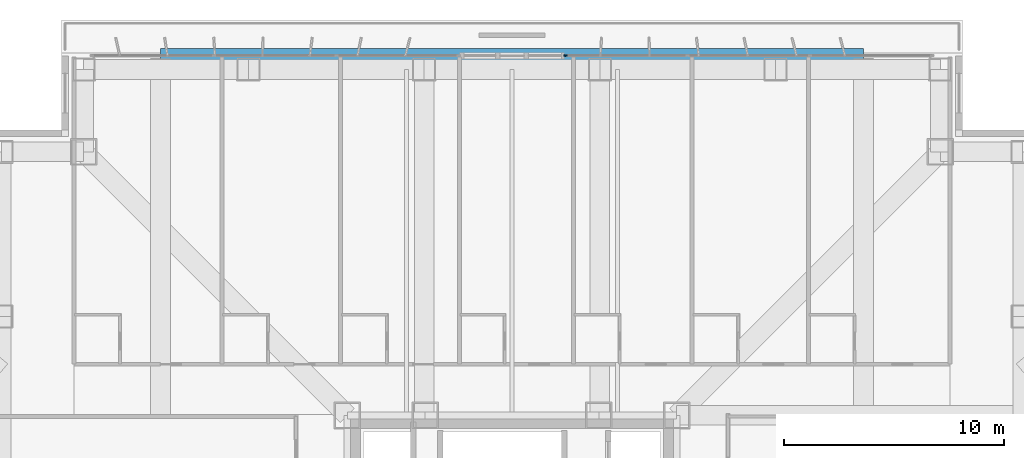
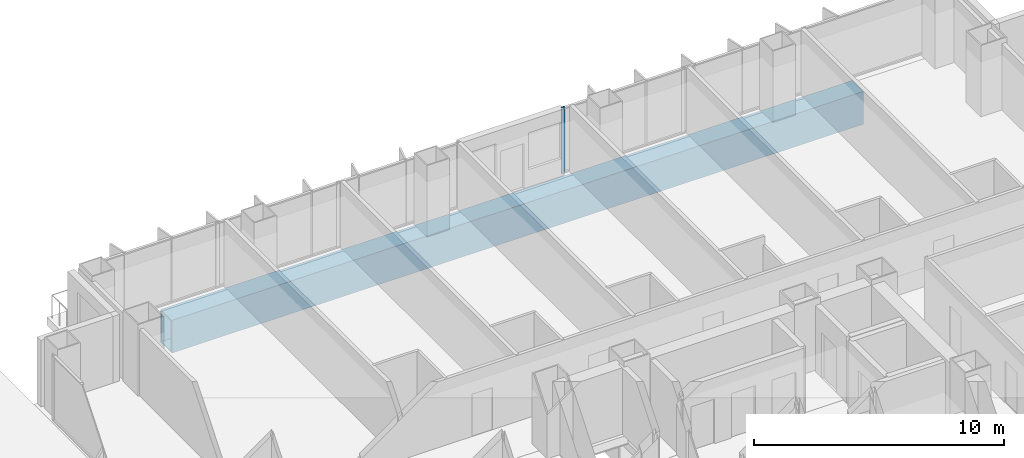
# One storey, part 12 of 24: 1 beam, 1 member, 1 element without a shape of its own.
"""IFC4 building model written with IfcOpenShell, lengths in metres."""

import ifcopenshell
import ifcopenshell.guid

model = None  # the IFC model being written
_history = None  # IfcOwnerHistory: only IFC2X3 demands one
_inside = {}  # id of a spatial element -> (the spatial element, [elements in it])
_under = {}  # id of a project, library or spatial element -> (it, [spatial elements below it])
_declared = {}  # id of a project -> (the project, [libraries it declares])
_typed = {}  # id of a type object -> (the type object, [elements of that type])
_made_of = {}  # id of a material, layer set ... -> (it, [elements and type objects made of it])


def new_model(schema):
    """Start an empty IFC model of exactly this schema.

    Asked for "IFC4X3", IfcOpenShell would pick the latest addendum, in which some entities
    have other attributes; the version numbers below select the first issue.
    IFC2X3 requires an IfcOwnerHistory on every rooted entity: one is made here for all.
    """
    global model, _history
    if schema == "IFC4X3":
        model = ifcopenshell.file(schema_version=(4, 3, 0, 0))
    else:
        model = ifcopenshell.file(schema=schema)
    _inside.clear()
    _under.clear()
    _declared.clear()
    _typed.clear()
    _made_of.clear()
    _history = None
    if model.schema == "IFC2X3":
        org = make("IfcOrganization", Name="unknown")
        user = make(
            "IfcPersonAndOrganization",
            ThePerson=make("IfcPerson", FamilyName="unknown"),
            TheOrganization=org,
        )
        app = make(
            "IfcApplication",
            ApplicationDeveloper=org,
            Version="unknown",
            ApplicationFullName="unknown",
            ApplicationIdentifier="unknown",
        )
        _history = make(
            "IfcOwnerHistory",
            OwningUser=user,
            OwningApplication=app,
            ChangeAction="ADDED",
            CreationDate=0,
        )
    return model


def make(cls, **values):
    """One entity of the class cls with the attributes given. An attribute that is None is left unset."""
    return model.create_entity(
        cls, **{name: value for name, value in values.items() if value is not None}
    )


def rooted(cls, **values):
    """An entity with a GlobalId (a new one), such as an element, a storey or a relation."""
    return make(cls, GlobalId=ifcopenshell.guid.new(), OwnerHistory=_history, **values)


def si_unit(unit_type, name, prefix=None):
    """IfcSIUnit, for example si_unit("LENGTHUNIT", "METRE", prefix="MILLI")."""
    return make("IfcSIUnit", UnitType=unit_type, Prefix=prefix, Name=name)


def assignment(units):
    """IfcUnitAssignment: the units of a project."""
    return None if units is None else make("IfcUnitAssignment", Units=units)


def point(xyz):
    """IfcCartesianPoint."""
    return None if xyz is None else make("IfcCartesianPoint", Coordinates=xyz)


def direction(xyz):
    """IfcDirection."""
    return None if xyz is None else make("IfcDirection", DirectionRatios=xyz)


def frame(location, z_axis=None, x_axis=None):
    """IfcAxis2Placement3D, a coordinate frame: its origin and axes. An axis left out is left unset."""
    return make(
        "IfcAxis2Placement3D",
        Location=point(location),
        Axis=direction(z_axis),
        RefDirection=direction(x_axis),
    )


def frame_2d(location, x_axis=None):
    """IfcAxis2Placement2D, a coordinate frame in the plane: its origin and x axis."""
    return make(
        "IfcAxis2Placement2D", Location=point(location), RefDirection=direction(x_axis)
    )


def origin():
    """The frame at (0, 0, 0) with its axes left unset."""
    return frame((0.0, 0.0, 0.0))


def origin_2d():
    """The frame at (0, 0) in the plane with its x axis left unset."""
    return frame_2d((0.0, 0.0))


def place(relative_to, where):
    """IfcLocalPlacement: puts the frame where relative to a parent placement (None: the world)."""
    return make(
        "IfcLocalPlacement", PlacementRelTo=relative_to, RelativePlacement=where
    )


def context(
    kind, dimensions, precision=None, world=None, true_north=None, identifier=None
):
    """IfcGeometricRepresentationContext, for example the 3D "Model" context."""
    return make(
        "IfcGeometricRepresentationContext",
        ContextIdentifier=identifier,
        ContextType=kind,
        CoordinateSpaceDimension=dimensions,
        Precision=precision,
        WorldCoordinateSystem=world,
        TrueNorth=true_north,
    )


def subcontext(parent, identifier, kind, view, scale=None):
    """IfcGeometricRepresentationSubContext, for example "Body" below "Model"."""
    return make(
        "IfcGeometricRepresentationSubContext",
        ContextIdentifier=identifier,
        ContextType=kind,
        ParentContext=parent,
        TargetScale=scale,
        TargetView=view,
    )


def project(units=None, contexts=None):
    """IfcProject with its units and contexts."""
    return rooted(
        "IfcProject",
        Name="project",
        RepresentationContexts=contexts,
        UnitsInContext=assignment(units),
    )


def spatial(cls, under=None, at=None, **own):
    """A site, building, storey or space (cls), placed at a placement, below another one or the project."""
    s = rooted(cls, ObjectPlacement=at, **own)
    if under is not None:
        _under.setdefault(under.id(), (under, []))[1].append(s)
    return s


def profile(cls, at=None, kind="AREA", **sizes):
    """A parametric profile (cls). Its sizes go by their IFC names, for example OverallWidth=200.0."""
    return make(cls, ProfileType=kind, Position=at, **sizes)


def rectangle(**sizes):
    """IfcRectangleProfileDef."""
    return profile("IfcRectangleProfileDef", **sizes)


def hollow_rectangle(**sizes):
    """IfcRectangleHollowProfileDef."""
    return profile("IfcRectangleHollowProfileDef", **sizes)


def extrude(swept, where, along, depth):
    """IfcExtrudedAreaSolid: the profile swept, set in the frame where, extruded along a direction by depth."""
    return make(
        "IfcExtrudedAreaSolid",
        SweptArea=swept,
        Position=where,
        ExtrudedDirection=direction(along),
        Depth=depth,
    )


def shape(context_of_items, identifier, shape_type, items):
    """IfcShapeRepresentation: the items that make up one representation, for example the "Body"."""
    return make(
        "IfcShapeRepresentation",
        ContextOfItems=context_of_items,
        RepresentationIdentifier=identifier,
        RepresentationType=shape_type,
        Items=items,
    )


def material(Name=None, Category=None):
    """IfcMaterial."""
    return make("IfcMaterial", Name=Name, Category=Category)


def layer(
    of_material, thickness, ventilated=None, Name=None, Category=None, Priority=None
):
    """IfcMaterialLayer: one layer of a wall or slab, of a material (None: an air gap)."""
    return make(
        "IfcMaterialLayer",
        Material=of_material,
        LayerThickness=thickness,
        IsVentilated=ventilated,
        Name=Name,
        Category=Category,
        Priority=Priority,
    )


def layer_set(layers, Name=None):
    """IfcMaterialLayerSet."""
    return make("IfcMaterialLayerSet", MaterialLayers=layers, LayerSetName=Name)


def material_profile(
    of_material, cross_section, Name=None, Category=None, Priority=None
):
    """IfcMaterialProfile: a cross section and its material."""
    return make(
        "IfcMaterialProfile",
        Name=Name,
        Material=of_material,
        Profile=cross_section,
        Priority=Priority,
        Category=Category,
    )


def profile_set(profiles, Name=None, composite=None):
    """IfcMaterialProfileSet."""
    return make(
        "IfcMaterialProfileSet",
        Name=Name,
        MaterialProfiles=profiles,
        CompositeProfile=composite,
    )


def made_of(thing, what):
    """Note that an element or type object is made of a material, layer set ...; save() writes the relation."""
    if what is not None:
        _made_of.setdefault(what.id(), (what, []))[1].append(thing)
    return thing


def type_object(cls, material=None, **own):
    """A type object (cls), such as IfcWallType, which elements share."""
    return made_of(rooted(cls, **own), material)


def element(
    cls,
    number,
    at=None,
    inside=None,
    cuts=None,
    type_object=None,
    material=None,
    context=None,
    identifier="Body",
    shape_type=None,
    held_by="IfcProductDefinitionShape",
    body=None,
    shapes=None,
    **own,
):
    """One element of the class cls, such as IfcWall. Its Tag is "e" and its number.

    at: its placement. inside: the storey or other place that contains it. cuts: it is an
    opening in that element (IfcRelVoidsElement). A single representation is given by context,
    identifier, shape_type and body (its items); several are given by shapes. held_by: the class
    of the entity that holds the representations. save() writes the other relations.
    """
    e = rooted(cls, Tag="e%d" % number, ObjectPlacement=at, **own)
    if body is not None:
        shapes = [shape(context, identifier, shape_type, body)]
    if shapes is not None:
        e.Representation = make(held_by, Representations=shapes)
    if inside is not None:
        _inside.setdefault(inside.id(), (inside, []))[1].append(e)
    if cuts is not None:
        rooted(
            "IfcRelVoidsElement", RelatingBuildingElement=cuts, RelatedOpeningElement=e
        )
    if type_object is not None:
        _typed.setdefault(type_object.id(), (type_object, []))[1].append(e)
    return made_of(e, material)


def aggregate(whole, parts):
    """IfcRelAggregates: a whole, such as a stair, and the parts it consists of."""
    return rooted("IfcRelAggregates", RelatingObject=whole, RelatedObjects=parts)


def save(model, path):
    """Write the relations noted so far, then the file.

    IfcRelAggregates (storeys below a building ...), IfcRelContainedInSpatialStructure (elements
    in a storey), IfcRelDefinesByType, IfcRelAssociatesMaterial and IfcRelDeclares: one each for
    every whole, place, type object, material and project.
    """
    for whole, parts in _under.values():
        aggregate(whole, parts)
    for where, things in _inside.values():
        rooted(
            "IfcRelContainedInSpatialStructure",
            RelatedElements=things,
            RelatingStructure=where,
        )
    for kind, things in _typed.values():
        rooted("IfcRelDefinesByType", RelatedObjects=things, RelatingType=kind)
    for what, things in _made_of.values():
        rooted("IfcRelAssociatesMaterial", RelatedObjects=things, RelatingMaterial=what)
    for by, libraries in _declared.values():
        rooted("IfcRelDeclares", RelatingContext=by, RelatedDefinitions=libraries)
    model.write(path)


model = new_model("IFC4")

# Units and contexts
model_context = context("Model", 3, precision=1e-05, world=origin(), true_north=direction((0.0, 1.0)))
body_context = subcontext(model_context, "Body", "Model", "MODEL_VIEW")
ifc_project = project(units=[si_unit("LENGTHUNIT", "METRE"), si_unit("AREAUNIT", "SQUARE_METRE"), si_unit("VOLUMEUNIT", "CUBIC_METRE"), si_unit("PLANEANGLEUNIT", "RADIAN"), si_unit("MASSUNIT", "GRAM", prefix="KILO")], contexts=[model_context])

# Site, building, storey
site_placement = place(None, origin())
site = spatial("IfcSite", under=ifc_project, at=site_placement, CompositionType="ELEMENT")
building_placement = place(site_placement, origin())
building = spatial("IfcBuilding", under=site, at=building_placement, Name="Trevonay Congress Spire", CompositionType="ELEMENT")
storey_placement = place(building_placement, frame((0.0, 0.0, 27.0)))
storey = spatial("IfcBuildingStorey", under=building, at=storey_placement, Name="L05", CompositionType="ELEMENT", Elevation=27.0)

# Beam
ifc_material_1 = material(Name="Steel ASTM A572 Grade 50", Category="steel")
ifc_material_profile_1 = material_profile(ifc_material_1, hollow_rectangle(XDim=0.89990234375, YDim=1.60009765625, WallThickness=0.06005859375, at=origin_2d()), Name="BOX 1600x900x60")
ifc_profile_set_1 = profile_set([ifc_material_profile_1], Name="Steel ASTM A572 Grade 50")
beam_type = type_object("IfcBeamType", Name="BM-XFER-BOX1600", PredefinedType="BEAM", material=ifc_profile_set_1)
beam_placement = place(storey_placement, frame((-16.0, 23.75, -1.199951171875), z_axis=(1.0, 0.0, 0.0), x_axis=(0.0, 1.0, 0.0)))
element("IfcBeam", 1, at=beam_placement, inside=storey, type_object=beam_type, Name="L05 structural beam BM-L05T-N", PredefinedType="BEAM", context=body_context, shape_type="SweptSolid", body=[
    extrude(hollow_rectangle(XDim=0.89990234375, YDim=1.60009765625, WallThickness=0.06005859375, at=origin_2d()), origin(), (0.0, 0.0, 1.0), 32.0),
])

# Curtain wall, member
ifc_material_2 = material(Name="Pale Anodised Aluminium EN AW-6063-T6", Category="aluminium")
ifc_layer = layer(ifc_material_2, 0.179931640625, Name="Pale Anodised Aluminium EN AW-6063-T6")
ifc_layer_set = layer_set([ifc_layer], Name="Pale Anodised Aluminium EN AW-6063-T6")
curtain_wall_type = type_object("IfcCurtainWallType", Name="CW-SYS02-HOTEL-PALE-METAL", PredefinedType="NOTDEFINED", material=ifc_layer_set)
curtain_wall_placement = place(storey_placement, origin())
curtain_wall = element("IfcCurtainWall", 2, at=curtain_wall_placement, inside=storey, type_object=curtain_wall_type, Name="L05 NB unitised curtain wall", PredefinedType="NOTDEFINED")
ifc_material_profile_2 = material_profile(ifc_material_2, rectangle(XDim=0.06005859375, YDim=0.159912109375, at=origin_2d()), Name="CW-MULLION-160-ALUMINIUM")
ifc_profile_set_2 = profile_set([ifc_material_profile_2], Name="Pale Anodised Aluminium EN AW-6063-T6")
member_type = type_object("IfcMemberType", Name="CW-MULLION-160-ALUMINIUM", PredefinedType="MULLION", material=ifc_profile_set_2)
member_placement = place(storey_placement, frame((2.429931640625, 23.8798828125, 0.0), z_axis=(0.0, 0.0, 1.0), x_axis=(0.0, 1.0, 0.0)))
member = element("IfcMember", 3, at=member_placement, type_object=member_type, Name="CW02 mullion 1", PredefinedType="MULLION", context=body_context, shape_type="SweptSolid", body=[
    extrude(rectangle(XDim=0.06005859375, YDim=0.159912109375, at=origin_2d()), origin(), (0.0, 0.0, 1.0), 3.25),
])
aggregate(curtain_wall, [member])

save(model, "model.ifc")
